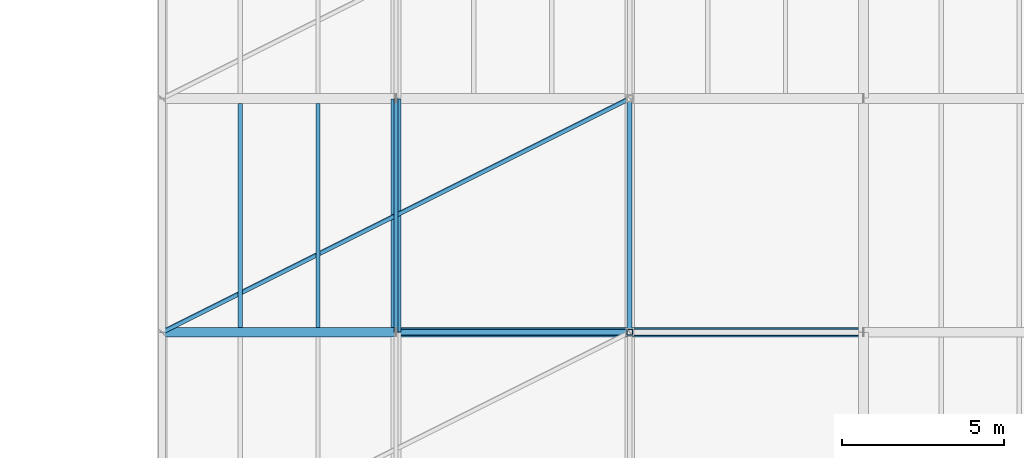
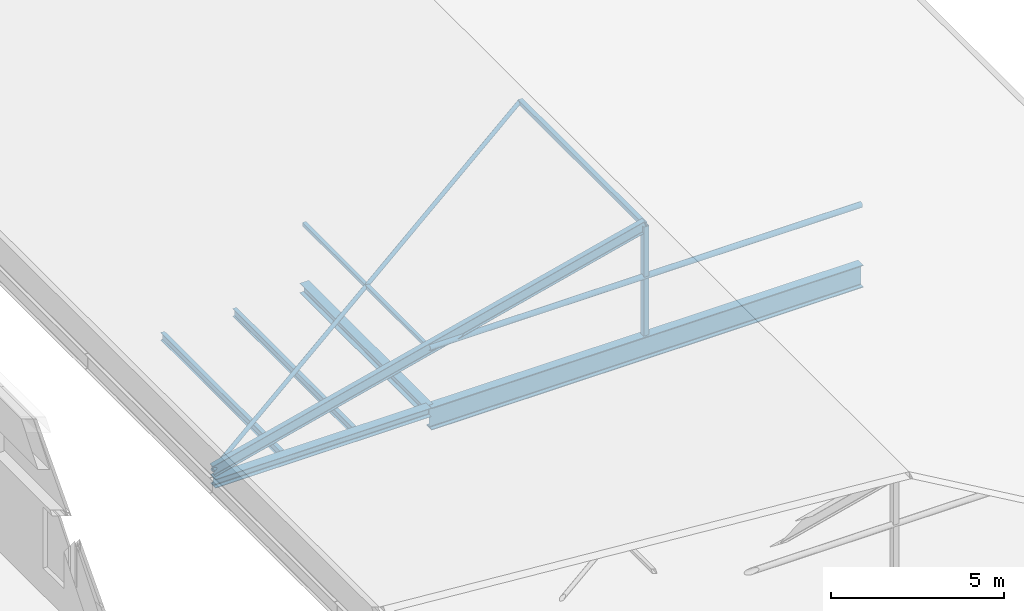
# One storey, part 7 of 44: 6 members, 5 beams.
"""IFC4 building model written with IfcOpenShell, lengths in metres."""

from ifc_helpers import new_model, si_unit, direction, frame, origin, origin_2d, place, context, subcontext, project, spatial, hollow_rectangle, hollow_circle, i_section, extrude, material, material_profile, profile_set, type_object, element, save


model = new_model("IFC4")

# Units and contexts
model_context = context("Model", 3, precision=1e-05, world=origin(), true_north=direction((0.0, 1.0)))
body_context = subcontext(model_context, "Body", "Model", "MODEL_VIEW")
ifc_project = project(units=[si_unit("LENGTHUNIT", "METRE"), si_unit("AREAUNIT", "SQUARE_METRE"), si_unit("VOLUMEUNIT", "CUBIC_METRE"), si_unit("PLANEANGLEUNIT", "RADIAN"), si_unit("MASSUNIT", "GRAM", prefix="KILO")], contexts=[model_context])

# Site, building, storey
site_placement = place(None, origin())
site = spatial("IfcSite", under=ifc_project, at=site_placement, CompositionType="ELEMENT")
building_placement = place(site_placement, origin())
building = spatial("IfcBuilding", under=site, at=building_placement, Name="Narikvali Park Central Library", CompositionType="ELEMENT")
storey_placement = place(building_placement, frame((0.0, 0.0, 22.800048828125)))
storey = spatial("IfcBuildingStorey", under=building, at=storey_placement, Name="L05", CompositionType="ELEMENT", Elevation=22.800048828125)

# Beam
ifc_material = material(Name="Steel S355", Category="steel")
ifc_material_profile_1 = material_profile(ifc_material, i_section(OverallWidth=0.300048828125, OverallDepth=0.7900390625, WebThickness=0.014892578125, FlangeThickness=0.028076171875, FilletRadius=0.030029296875, at=origin_2d()), Name="HEA 800")
ifc_profile_set_1 = profile_set([ifc_material_profile_1], Name="Steel S355")
beam_type_1 = type_object("IfcBeamType", Name="Atrium Span Girder HEA800", PredefinedType="BEAM", material=ifc_profile_set_1)
beam_1_placement = place(storey_placement, frame((36.008056640625, 79.199951171875, -0.635009765625), z_axis=(1.0, 0.0, 0.0), x_axis=(0.0, 1.0, 0.0)))
element("IfcBeam", 1, at=beam_1_placement, inside=storey, type_object=beam_type_1, Name="V4 L05 Girder X", PredefinedType="BEAM", context=body_context, shape_type="SweptSolid", body=[
    extrude(i_section(OverallWidth=0.300048828125, OverallDepth=0.7900390625, WebThickness=0.014892578125, FlangeThickness=0.028076171875, FilletRadius=0.030029296875, at=origin_2d()), origin(), (0.0, 0.0, 1.0), 14.384033203125),
])

# Member
ifc_material_profile_2 = material_profile(ifc_material, hollow_rectangle(XDim=0.179931640625, YDim=0.179931640625, WallThickness=0.010009765625, at=origin_2d()), Name="SHS 180x180x10")
ifc_profile_set_2 = profile_set([ifc_material_profile_2], Name="Steel S355")
member_type_1 = type_object("IfcMemberType", Name="Auditorium Truss Vertical SHS180", PredefinedType="COLLAR", material=ifc_profile_set_2)
member_1_placement = place(storey_placement, frame((43.199951171875, 79.199951171875, -0.239990234375), z_axis=(0.0, 0.0, 1.0), x_axis=(1.0, 0.0, 0.0)))
element("IfcMember", 2, at=member_1_placement, inside=storey, type_object=member_type_1, Name="V4 Roof Truss King Strut 3", PredefinedType="COLLAR", context=body_context, shape_type="SweptSolid", body=[
    extrude(hollow_rectangle(XDim=0.179931640625, YDim=0.179931640625, WallThickness=0.010009765625, at=origin_2d()), origin(), (0.0, 0.0, 1.0), 3.83984375),
])

# Beams
ifc_material_profile_3 = material_profile(ifc_material, i_section(OverallWidth=0.135009765625, OverallDepth=0.27001953125, WebThickness=0.006591796875, FlangeThickness=0.01025390625, FilletRadius=0.014892578125, at=origin_2d()), Name="IPE 270")
ifc_profile_set_3 = profile_set([ifc_material_profile_3], Name="Steel S355")
beam_type_2 = type_object("IfcBeamType", Name="Composite Floor Joist IPE270", PredefinedType="JOIST", material=ifc_profile_set_3)
for number, where, z_axis, x_axis, name in (
    (3, (31.199951171875, 79.35009765625, -0.375), (0.0, 1.0, 0.0), (-1.0, 0.0, 0.0), "V4 L05 Composite Joist 1"),
    (4, (33.60009765625, 79.35009765625, -0.375), (0.0, 1.0, 0.0), (-1.0, 0.0, 0.0), "V4 L05 Composite Joist 2"),
):
    element("IfcBeam", number, at=place(storey_placement, frame(where, z_axis=z_axis, x_axis=x_axis)), inside=storey, type_object=beam_type_2, Name=name, PredefinedType="JOIST", context=body_context, shape_type="SweptSolid", body=[
        extrude(i_section(OverallWidth=0.135009765625, OverallDepth=0.27001953125, WebThickness=0.006591796875, FlangeThickness=0.01025390625, FilletRadius=0.014892578125, at=origin_2d()), origin(), (0.0, 0.0, 1.0), 6.89990234375),
    ])

# Members
ifc_material_profile_4 = material_profile(ifc_material, i_section(OverallWidth=0.179931640625, OverallDepth=0.39990234375, WebThickness=0.008544921875, FlangeThickness=0.013427734375, FilletRadius=0.02099609375, at=origin_2d()), Name="IPE 400")
ifc_profile_set_4 = profile_set([ifc_material_profile_4], Name="Steel S355")
member_type_2 = type_object("IfcMemberType", Name="Long-Span Pavilion Rafter IPE400", PredefinedType="RAFTER", material=ifc_profile_set_4)
member_2_placement = place(storey_placement, frame((28.800048828125, 79.199951171875, 0.0), z_axis=(0.97014443519, 0.0, 0.242527884726), x_axis=(0.0, 1.0, 0.0)))
element("IfcMember", 5, at=member_2_placement, inside=storey, type_object=member_type_2, Name="V4 Roof Rafter W 3", PredefinedType="RAFTER", context=body_context, shape_type="SweptSolid", body=[
    extrude(i_section(OverallWidth=0.179931640625, OverallDepth=0.39990234375, WebThickness=0.008544921875, FlangeThickness=0.013427734375, FilletRadius=0.02099609375, at=origin_2d()), origin(), (0.0, 0.0, 1.0), 14.843017578125),
])
ifc_material_profile_5 = material_profile(ifc_material, hollow_circle(Radius=0.096923828125, WallThickness=0.010009765625, at=origin_2d()), Name="CHS 193.7x10")
ifc_profile_set_5 = profile_set([ifc_material_profile_5], Name="Steel S355")
member_type_3 = type_object("IfcMemberType", Name="Pavilion Roof Collar Tie CHS193", PredefinedType="COLLAR", material=ifc_profile_set_5)
member_3_placement = place(storey_placement, frame((36.0, 79.199951171875, 1.800048828125), z_axis=(1.0, 0.0, 0.0), x_axis=(0.0, 1.0, 0.0)))
element("IfcMember", 6, at=member_3_placement, inside=storey, type_object=member_type_3, Name="V4 Roof Collar Tie 3", PredefinedType="COLLAR", context=body_context, shape_type="SweptSolid", body=[
    extrude(hollow_circle(Radius=0.096923828125, WallThickness=0.010009765625, at=origin_2d()), origin(), (0.0, 0.0, 1.0), 14.39990234375),
])
ifc_material_profile_6 = material_profile(ifc_material, hollow_circle(Radius=0.06982421875, WallThickness=0.008056640625, at=origin_2d()), Name="CHS 139.7x8")
ifc_profile_set_6 = profile_set([ifc_material_profile_6], Name="Steel S355")
member_type_4 = type_object("IfcMemberType", Name="Pavilion Roof Wind Brace CHS139", PredefinedType="BRACE", material=ifc_profile_set_6)
member_4_placement = place(storey_placement, frame((28.800048828125, 79.199951171875, 0.0), z_axis=(0.872872970347, 0.436436485174, 0.218210843101), x_axis=(-0.4472135955, 0.894427191, 0.0)))
element("IfcMember", 7, at=member_4_placement, inside=storey, type_object=member_type_4, Name="V4 Roof Wind Brace 3", PredefinedType="BRACE", context=body_context, shape_type="SweptSolid", body=[
    extrude(hollow_circle(Radius=0.06982421875, WallThickness=0.008056640625, at=origin_2d()), origin(), (0.0, 0.0, 1.0), 16.4970703125),
])

# Beams
ifc_material_profile_7 = material_profile(ifc_material, i_section(OverallWidth=0.300048828125, OverallDepth=0.31005859375, WebThickness=0.009033203125, FlangeThickness=0.015380859375, FilletRadius=0.027099609375, at=origin_2d()), Name="HEA 320")
ifc_profile_set_7 = profile_set([ifc_material_profile_7], Name="Steel S355")
beam_type_3 = type_object("IfcBeamType", Name="Primary Girder HEA320", PredefinedType="BEAM", material=ifc_profile_set_7)
beam_2_placement = place(storey_placement, frame((28.80810546875, 79.199951171875, -0.39501953125), z_axis=(1.0, 0.0, 0.0), x_axis=(0.0, 1.0, 0.0)))
element("IfcBeam", 8, at=beam_2_placement, inside=storey, type_object=beam_type_3, Name="V4 L05 Girder X", PredefinedType="BEAM", context=body_context, shape_type="SweptSolid", body=[
    extrude(i_section(OverallWidth=0.300048828125, OverallDepth=0.31005859375, WebThickness=0.009033203125, FlangeThickness=0.015380859375, FilletRadius=0.027099609375, at=origin_2d()), origin(), (0.0, 0.0, 1.0), 7.183837890625),
])
ifc_material_profile_8 = material_profile(ifc_material, i_section(OverallWidth=0.300048828125, OverallDepth=0.35009765625, WebThickness=0.010009765625, FlangeThickness=0.017578125, FilletRadius=0.027099609375, at=origin_2d()), Name="HEA 360")
ifc_profile_set_8 = profile_set([ifc_material_profile_8], Name="Steel S355")
beam_type_4 = type_object("IfcBeamType", Name="Primary Girder HEA360", PredefinedType="BEAM", material=ifc_profile_set_8)
beam_3_placement = place(storey_placement, frame((36.0, 79.2080078125, -0.4150390625), z_axis=(0.0, 1.0, 0.0), x_axis=(-1.0, 0.0, 0.0)))
element("IfcBeam", 9, at=beam_3_placement, inside=storey, type_object=beam_type_4, Name="V4 L05 Girder Y", PredefinedType="BEAM", context=body_context, shape_type="SweptSolid", body=[
    extrude(i_section(OverallWidth=0.300048828125, OverallDepth=0.35009765625, WebThickness=0.010009765625, FlangeThickness=0.017578125, FilletRadius=0.027099609375, at=origin_2d()), origin(), (0.0, 0.0, 1.0), 7.18408203125),
])

# Members
ifc_material_profile_9 = material_profile(ifc_material, hollow_rectangle(XDim=0.1201171875, YDim=0.1201171875, WallThickness=0.008056640625, at=origin_2d()), Name="SHS 120x120x8")
ifc_profile_set_9 = profile_set([ifc_material_profile_9], Name="Steel S355")
member_type_5 = type_object("IfcMemberType", Name="Roof Eave Strut SHS120x120", PredefinedType="PURLIN", material=ifc_profile_set_9)
member_5_placement = place(storey_placement, frame((36.0, 79.199951171875, 1.800048828125), z_axis=(0.0, 1.0, 0.0), x_axis=(-1.0, 0.0, 0.0)))
element("IfcMember", 10, at=member_5_placement, inside=storey, type_object=member_type_5, Name="V4 Mid-Slope Purlin 3", PredefinedType="PURLIN", context=body_context, shape_type="SweptSolid", body=[
    extrude(hollow_rectangle(XDim=0.1201171875, YDim=0.1201171875, WallThickness=0.008056640625, at=origin_2d()), origin(), (0.0, 0.0, 1.0), 7.199951171875),
])
ifc_material_profile_10 = material_profile(ifc_material, hollow_rectangle(XDim=0.14990234375, YDim=0.14990234375, WallThickness=0.010009765625, at=origin_2d()), Name="SHS 150x150x10")
ifc_profile_set_10 = profile_set([ifc_material_profile_10], Name="Steel S355")
member_type_6 = type_object("IfcMemberType", Name="Roof Steel Purlin SHS150x150", PredefinedType="PURLIN", material=ifc_profile_set_10)
member_6_placement = place(storey_placement, frame((43.199951171875, 79.199951171875, 3.599853515625), z_axis=(0.0, 1.0, 0.0), x_axis=(-1.0, 0.0, 0.0)))
element("IfcMember", 11, at=member_6_placement, inside=storey, type_object=member_type_6, Name="V4 Ridge Purlin 3", PredefinedType="PURLIN", context=body_context, shape_type="SweptSolid", body=[
    extrude(hollow_rectangle(XDim=0.14990234375, YDim=0.14990234375, WallThickness=0.010009765625, at=origin_2d()), origin(), (0.0, 0.0, 1.0), 7.199951171875),
])

save(model, "model.ifc")
